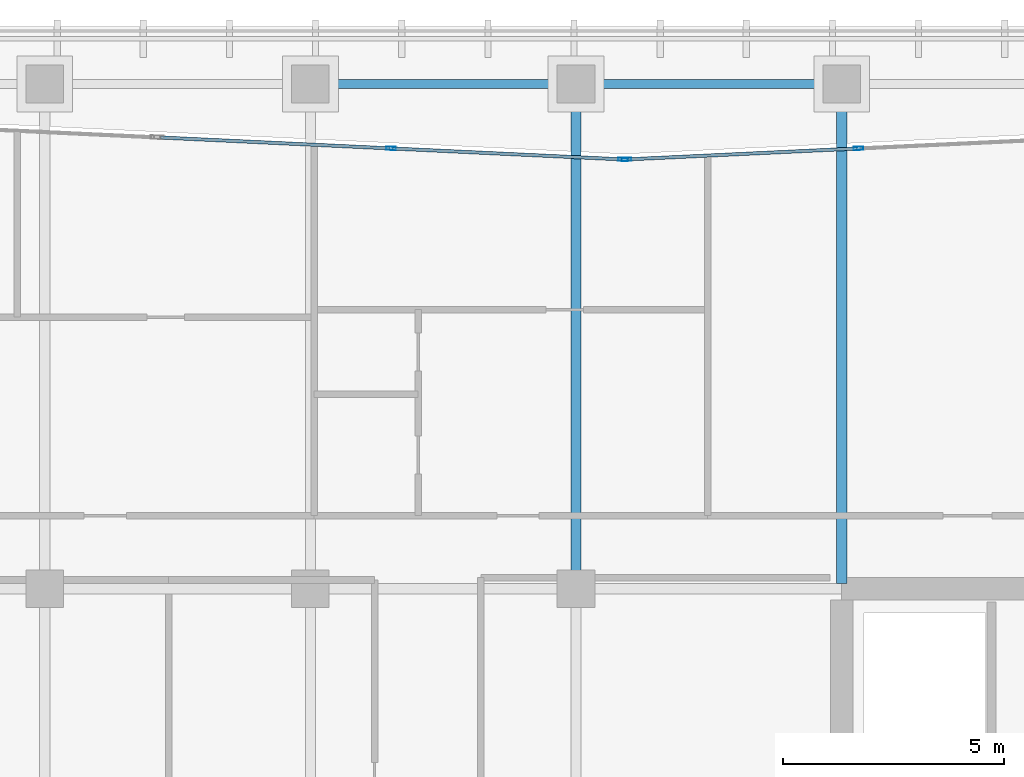
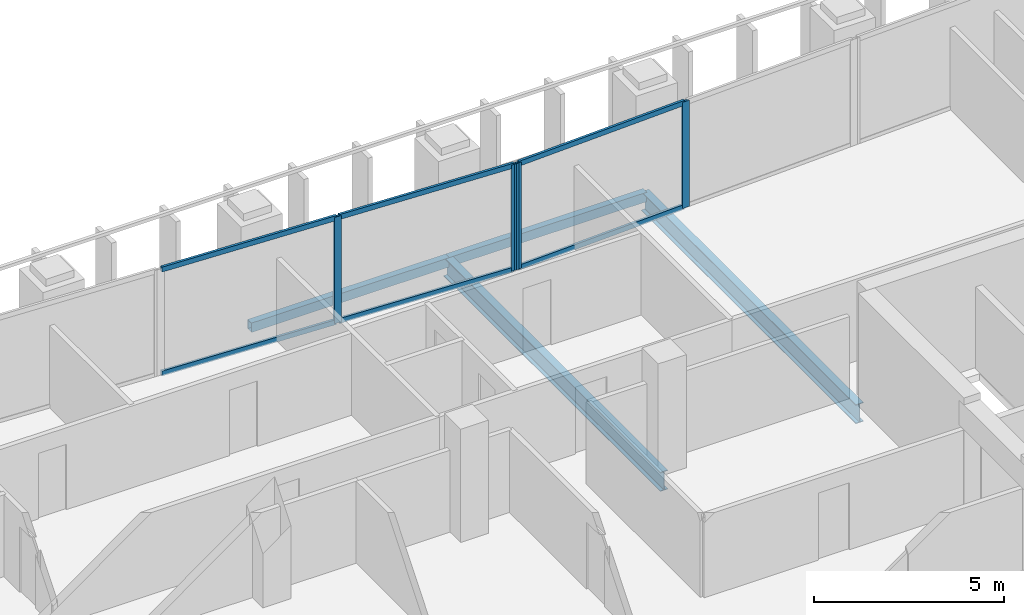
# One storey, part 12 of 28: 10 members, 4 beams, 2 elements without a shape of their own.
"""IFC4 building model written with IfcOpenShell, lengths in metres."""

from ifc_helpers import new_model, si_unit, direction, frame, origin, origin_2d, place, context, subcontext, project, spatial, hollow_rectangle, i_section, extrude, material, layer, layer_set, material_profile, profile_set, type_object, element, aggregate, save


model = new_model("IFC4")

# Units and contexts
model_context = context("Model", 3, precision=1e-05, world=origin(), true_north=direction((0.0, 1.0)))
body_context = subcontext(model_context, "Body", "Model", "MODEL_VIEW")
ifc_project = project(units=[si_unit("LENGTHUNIT", "METRE"), si_unit("AREAUNIT", "SQUARE_METRE"), si_unit("VOLUMEUNIT", "CUBIC_METRE"), si_unit("PLANEANGLEUNIT", "RADIAN"), si_unit("MASSUNIT", "GRAM", prefix="KILO")], contexts=[model_context])

# Site, building, storey
site_placement = place(None, origin())
site = spatial("IfcSite", under=ifc_project, at=site_placement, CompositionType="ELEMENT")
building_placement = place(site_placement, origin())
building = spatial("IfcBuilding", under=site, at=building_placement, Name="Tanjung Sevakor Pilgrim Tower", CompositionType="ELEMENT")
storey_placement = place(building_placement, frame((0.0, 0.0, 158.39990234375)))
storey = spatial("IfcBuildingStorey", under=building, at=storey_placement, Name="L44", CompositionType="ELEMENT", Elevation=158.39990234375)

# Beams
ifc_material_1 = material(Name="Steel S355J2", Category="steel")
ifc_material_profile_1 = material_profile(ifc_material_1, i_section(OverallWidth=0.22900390625, OverallDepth=0.6123046875, WebThickness=0.011962890625, FlangeThickness=0.01953125, FilletRadius=0.0126953125, at=origin_2d()))
ifc_profile_set_1 = profile_set([ifc_material_profile_1], Name="Steel S355J2")
beam_type_1 = type_object("IfcBeamType", Name="BM-B-G4-UB_610x229x125", PredefinedType="BEAM", material=ifc_profile_set_1)
beam_1_placement = place(storey_placement, frame((72.0, 42.60009765625, -0.526123046875), z_axis=(0.0, 1.0, 0.0), x_axis=(-1.0, 0.0, 0.0)))
element("IfcBeam", 1, at=beam_1_placement, inside=storey, type_object=beam_type_1, Name="L44 MAIN Girder 022", PredefinedType="BEAM", context=body_context, shape_type="SweptSolid", body=[
    extrude(i_section(OverallWidth=0.22900390625, OverallDepth=0.6123046875, WebThickness=0.011962890625, FlangeThickness=0.01953125, FilletRadius=0.0126953125, at=origin_2d()), origin(), (0.0, 0.0, 1.0), 11.39990234375),
])
beam_2_placement = place(storey_placement, frame((78.0, 42.715087890625, -0.526123046875), z_axis=(0.0, 1.0, 0.0), x_axis=(-1.0, 0.0, 0.0)))
element("IfcBeam", 2, at=beam_2_placement, inside=storey, type_object=beam_type_1, Name="L44 MAIN Girder 024", PredefinedType="BEAM", context=body_context, shape_type="SweptSolid", body=[
    extrude(i_section(OverallWidth=0.22900390625, OverallDepth=0.6123046875, WebThickness=0.011962890625, FlangeThickness=0.01953125, FilletRadius=0.0126953125, at=origin_2d()), origin(), (0.0, 0.0, 1.0), 11.284912109375),
])
ifc_material_2 = material(Name="Steel S355J2", Category="steel")
ifc_material_profile_2 = material_profile(ifc_material_2, hollow_rectangle(XDim=0.199951171875, YDim=0.300048828125, WallThickness=0.012451171875, at=origin_2d()))
ifc_profile_set_2 = profile_set([ifc_material_profile_2], Name="Steel S355J2")
beam_type_2 = type_object("IfcBeamType", Name="BM-B-SP3-RHS_300x200x12.5", PredefinedType="SPANDREL", material=ifc_profile_set_2)
for number, where, z_axis, x_axis, name in (
    (3, (66.0, 54.0, -0.369873046875), (1.0, 0.0, 0.0), (0.0, 1.0, 0.0), "L44 Spandrel MAIN N-12"),
    (4, (72.0, 54.0, -0.369873046875), (1.0, 0.0, 0.0), (0.0, 1.0, 0.0), "L44 Spandrel MAIN N-14"),
):
    element("IfcBeam", number, at=place(storey_placement, frame(where, z_axis=z_axis, x_axis=x_axis)), inside=storey, type_object=beam_type_2, Name=name, PredefinedType="SPANDREL", context=body_context, shape_type="SweptSolid", body=[
        extrude(hollow_rectangle(XDim=0.199951171875, YDim=0.300048828125, WallThickness=0.012451171875, at=origin_2d()), origin(), (0.0, 0.0, 1.0), 6.0),
    ])

# Curtain wall, members
ifc_material_3 = material(Name="Aluminium 6063-T6 and Low-E Glass", Category="aluminium")
ifc_layer = layer(ifc_material_3, 0.199951171875)
ifc_layer_set = layer_set([ifc_layer], Name="CW-SYS-PRAY")
curtain_wall_type = type_object("IfcCurtainWallType", Name="CW-SYS-PRAY", PredefinedType="NOTDEFINED", material=ifc_layer_set)
curtain_wall_1_placement = place(storey_placement, origin())
curtain_wall_1 = element("IfcCurtainWall", 5, at=curtain_wall_1_placement, inside=storey, type_object=curtain_wall_type, Name="L44 Curtain Wall CW-PRY-L44-21", PredefinedType="NOTDEFINED")
ifc_material_4 = material(Name="Aluminium 6063-T6", Category="aluminium")
ifc_material_profile_3 = material_profile(ifc_material_4, hollow_rectangle(XDim=0.074951171875, YDim=0.219970703125, WallThickness=0.0048828125, at=origin_2d()))
ifc_profile_set_3 = profile_set([ifc_material_profile_3], Name="Aluminium 6063-T6")
member_type_1 = type_object("IfcMemberType", Name="TYPE-CWM-2", PredefinedType="MULLION", material=ifc_profile_set_3)
member_1_placement = place(storey_placement, frame((78.3779296875, 52.544921875, 0.0), z_axis=(0.0, 0.0, 1.0), x_axis=(0.04733271113, -0.998879179109, 0.0)))
member_1 = element("IfcMember", 6, at=member_1_placement, type_object=member_type_1, Name="CW-PRY mullion 2", PredefinedType="MULLION", context=body_context, shape_type="SweptSolid", body=[
    extrude(hollow_rectangle(XDim=0.074951171875, YDim=0.219970703125, WallThickness=0.0048828125, at=origin_2d()), origin(), (0.0, 0.0, 1.0), 3.41015625),
])
member_2_placement = place(storey_placement, frame((73.137451171875, 52.296630859375, 0.0), z_axis=(0.0, 0.0, 1.0), x_axis=(0.04733271113, -0.998879179109, 0.0)))
member_2 = element("IfcMember", 7, at=member_2_placement, type_object=member_type_1, Name="CW-PRY mullion 3", PredefinedType="MULLION", context=body_context, shape_type="SweptSolid", body=[
    extrude(hollow_rectangle(XDim=0.074951171875, YDim=0.219970703125, WallThickness=0.0048828125, at=origin_2d()), origin(), (0.0, 0.0, 1.0), 3.41015625),
])

curtain_wall_2_placement = place(storey_placement, origin())
curtain_wall_2 = element("IfcCurtainWall", 8, at=curtain_wall_2_placement, inside=storey, type_object=curtain_wall_type, Name="L44 Curtain Wall CW-PRY-L44-22", PredefinedType="NOTDEFINED")
member_3_placement = place(storey_placement, frame((73.0625, 52.296630859375, 0.0), z_axis=(0.0, 0.0, 1.0), x_axis=(-0.04733271113, -0.998879179109, 0.0)))
member_3 = element("IfcMember", 9, at=member_3_placement, type_object=member_type_1, Name="CW-PRY mullion 1", PredefinedType="MULLION", context=body_context, shape_type="SweptSolid", body=[
    extrude(hollow_rectangle(XDim=0.074951171875, YDim=0.219970703125, WallThickness=0.0048828125, at=origin_2d()), origin(), (0.0, 0.0, 1.0), 3.41015625),
])
member_4_placement = place(storey_placement, frame((67.822021484375, 52.544921875, 0.0), z_axis=(0.0, 0.0, 1.0), x_axis=(-0.04733271113, -0.998879179109, 0.0)))
member_4 = element("IfcMember", 10, at=member_4_placement, type_object=member_type_1, Name="CW-PRY mullion 2", PredefinedType="MULLION", context=body_context, shape_type="SweptSolid", body=[
    extrude(hollow_rectangle(XDim=0.074951171875, YDim=0.219970703125, WallThickness=0.0048828125, at=origin_2d()), origin(), (0.0, 0.0, 1.0), 3.41015625),
])

# Member
ifc_material_5 = material(Name="Aluminium 6063-T6", Category="aluminium")
ifc_material_profile_4 = material_profile(ifc_material_5, hollow_rectangle(XDim=0.074951171875, YDim=0.159912109375, WallThickness=0.00439453125, at=origin_2d()))
ifc_profile_set_4 = profile_set([ifc_material_profile_4], Name="Aluminium 6063-T6")
member_type_2 = type_object("IfcMemberType", Name="TYPE-CWT-2", PredefinedType="USERDEFINED", material=ifc_profile_set_4)
member_5_placement = place(storey_placement, frame((78.340576171875, 52.543212890625, 0.03759765625), z_axis=(-0.998878367882, -0.047349827638, 0.0), x_axis=(0.047349827638, -0.998878367882, 0.0)))
member_5 = element("IfcMember", 11, at=member_5_placement, type_object=member_type_2, Name="CW-PRY transom 2.1", ObjectType="TRANSOM", PredefinedType="USERDEFINED", context=body_context, shape_type="SweptSolid", body=[
    extrude(hollow_rectangle(XDim=0.074951171875, YDim=0.159912109375, WallThickness=0.00439453125, at=origin_2d()), origin(), (0.0, 0.0, 1.0), 5.171630859375),
])

member_6_placement = place(storey_placement, frame((78.340576171875, 52.543212890625, 3.37255859375), z_axis=(-0.998878367882, -0.047349827638, 0.0), x_axis=(0.047349827638, -0.998878367882, 0.0)))
member_6 = element("IfcMember", 12, at=member_6_placement, type_object=member_type_2, Name="CW-PRY transom 2.2", ObjectType="TRANSOM", PredefinedType="USERDEFINED", context=body_context, shape_type="SweptSolid", body=[
    extrude(hollow_rectangle(XDim=0.074951171875, YDim=0.159912109375, WallThickness=0.00439453125, at=origin_2d()), origin(), (0.0, 0.0, 1.0), 5.171630859375),
])

aggregate(curtain_wall_1, [member_1, member_2, member_5, member_6])

member_7_placement = place(storey_placement, frame((73.025146484375, 52.29833984375, 0.03759765625), z_axis=(-0.998878262033, 0.047352060536, 0.0), x_axis=(-0.047352060536, -0.998878262033, 0.0)))
member_7 = element("IfcMember", 13, at=member_7_placement, type_object=member_type_2, Name="CW-PRY transom 1.1", ObjectType="TRANSOM", PredefinedType="USERDEFINED", context=body_context, shape_type="SweptSolid", body=[
    extrude(hollow_rectangle(XDim=0.074951171875, YDim=0.159912109375, WallThickness=0.00439453125, at=origin_2d()), origin(), (0.0, 0.0, 1.0), 5.17138671875),
])

member_8_placement = place(storey_placement, frame((73.025146484375, 52.29833984375, 3.37255859375), z_axis=(-0.998878262033, 0.047352060536, 0.0), x_axis=(-0.047352060536, -0.998878262033, 0.0)))
member_8 = element("IfcMember", 14, at=member_8_placement, type_object=member_type_2, Name="CW-PRY transom 1.2", ObjectType="TRANSOM", PredefinedType="USERDEFINED", context=body_context, shape_type="SweptSolid", body=[
    extrude(hollow_rectangle(XDim=0.074951171875, YDim=0.159912109375, WallThickness=0.00439453125, at=origin_2d()), origin(), (0.0, 0.0, 1.0), 5.17138671875),
])

member_9_placement = place(storey_placement, frame((67.78466796875, 52.546875, 0.03759765625), z_axis=(-0.99888059957, 0.047302725118, 0.0), x_axis=(-0.047302725118, -0.99888059957, 0.0)))
member_9 = element("IfcMember", 15, at=member_9_placement, type_object=member_type_2, Name="CW-PRY transom 2.1", ObjectType="TRANSOM", PredefinedType="USERDEFINED", context=body_context, shape_type="SweptSolid", body=[
    extrude(hollow_rectangle(XDim=0.074951171875, YDim=0.159912109375, WallThickness=0.00439453125, at=origin_2d()), origin(), (0.0, 0.0, 1.0), 5.171630859375),
])

member_10_placement = place(storey_placement, frame((67.78466796875, 52.546875, 3.37255859375), z_axis=(-0.99888059957, 0.047302725118, 0.0), x_axis=(-0.047302725118, -0.99888059957, 0.0)))
member_10 = element("IfcMember", 16, at=member_10_placement, type_object=member_type_2, Name="CW-PRY transom 2.2", ObjectType="TRANSOM", PredefinedType="USERDEFINED", context=body_context, shape_type="SweptSolid", body=[
    extrude(hollow_rectangle(XDim=0.074951171875, YDim=0.159912109375, WallThickness=0.00439453125, at=origin_2d()), origin(), (0.0, 0.0, 1.0), 5.171630859375),
])

aggregate(curtain_wall_2, [member_3, member_4, member_7, member_8, member_9, member_10])

save(model, "model.ifc")
